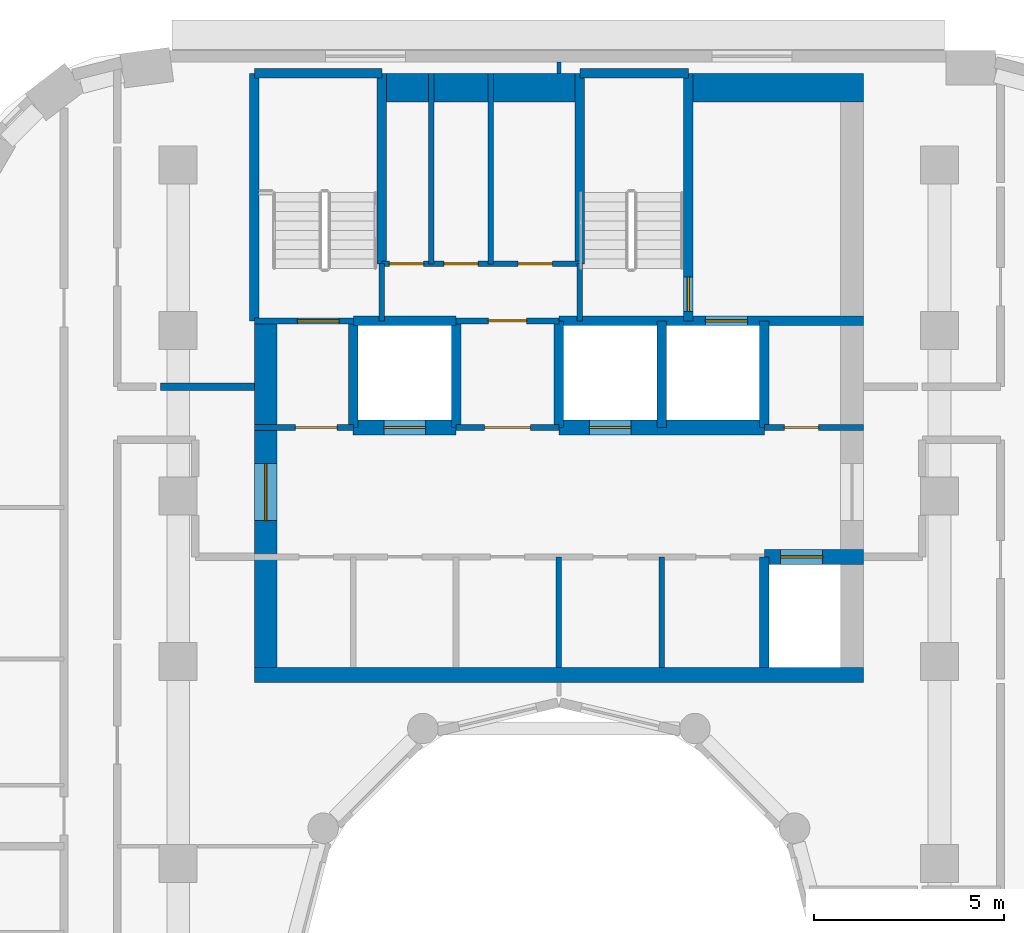
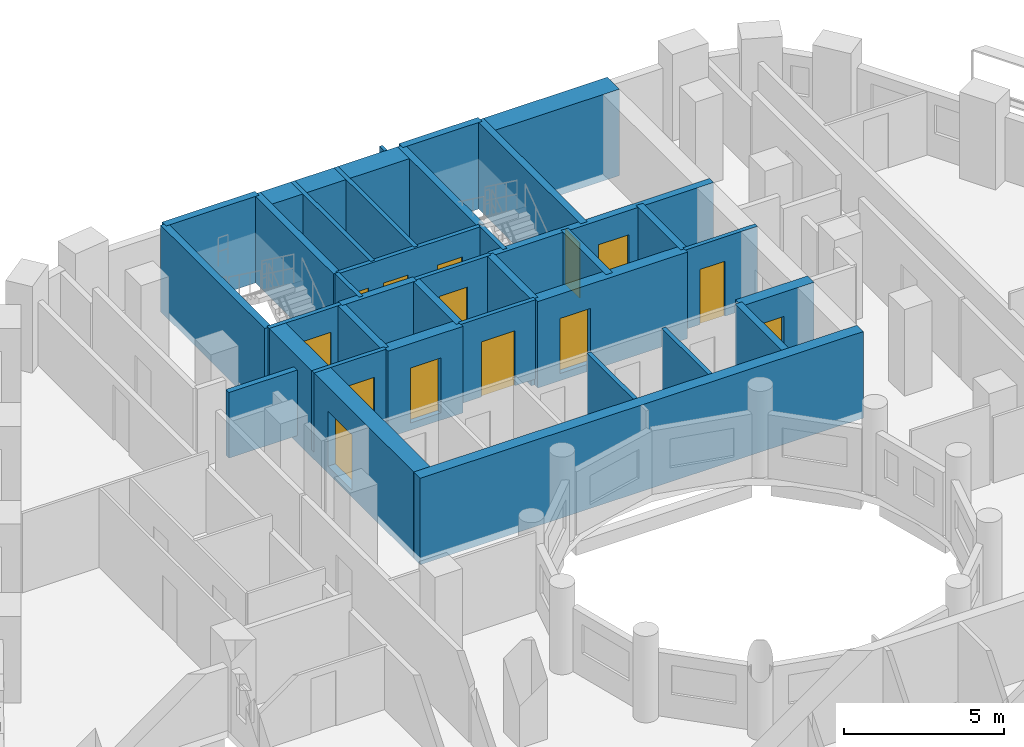
# One storey, part 8 of 14: 35 walls, 14 doors, 14 openings.
"""IFC4 building model written with IfcOpenShell, lengths in metres."""

from ifc_helpers import new_model, si_unit, direction, frame, frame_2d, origin, place, context, subcontext, project, spatial, rectangle, extrude, material, layer, layer_set, type_object, element, fill, save


model = new_model("IFC4")

# Units and contexts
model_context = context("Model", 3, precision=1e-05, world=origin(), true_north=direction((0.0, 1.0)))
body_context = subcontext(model_context, "Body", "Model", "MODEL_VIEW")
ifc_project = project(units=[si_unit("LENGTHUNIT", "METRE"), si_unit("AREAUNIT", "SQUARE_METRE"), si_unit("VOLUMEUNIT", "CUBIC_METRE"), si_unit("PLANEANGLEUNIT", "RADIAN"), si_unit("MASSUNIT", "GRAM", prefix="KILO")], contexts=[model_context])

# Site, building, storey
site_placement = place(None, origin())
site = spatial("IfcSite", under=ifc_project, at=site_placement, CompositionType="ELEMENT")
building_placement = place(site_placement, origin())
building = spatial("IfcBuilding", under=site, at=building_placement, Name="Nakaniwa Court", CompositionType="ELEMENT")
storey_placement = place(building_placement, frame((0.0, 0.0, 160.199951171875)))
storey = spatial("IfcBuildingStorey", under=building, at=storey_placement, Name="L42", CompositionType="ELEMENT", Elevation=160.199951171875)

# Walls
ifc_material_1 = material(Name="Acoustic double stud partition")
ifc_layer_1 = layer(ifc_material_1, 0.199951171875)
ifc_layer_set_1 = layer_set([ifc_layer_1], Name="Acoustic double stud partition")
wall_type_1 = type_object("IfcWallType", Name="Acoustic double stud partition 200", PredefinedType="PARTITIONING", material=ifc_layer_set_1)
wall_1_placement = place(storey_placement, frame((69.537109375, 95.175048828125, 0.0), z_axis=(0.0, 0.0, 1.0), x_axis=(1.0, 0.0, 0.0)))
element("IfcWall", 1, at=wall_1_placement, inside=storey, type_object=wall_type_1, Name="Partition PW-099", PredefinedType="PARTITIONING", context=body_context, shape_type="SweptSolid", body=[
    extrude(rectangle(XDim=2.462890625, YDim=0.199951171875, at=frame_2d((1.2314453125, 0.0))), origin(), (0.0, 0.0, 1.0), 2.505126953125),
])
ifc_material_2 = material(Name="Blockwork partition", Category="masonry")
ifc_layer_2 = layer(ifc_material_2, 0.14990234375)
ifc_layer_set_2 = layer_set([ifc_layer_2], Name="Blockwork partition")
wall_type_2 = type_object("IfcWallType", Name="Blockwork partition 150", PredefinedType="PARTITIONING", material=ifc_layer_set_2)
for number, where, z_axis, x_axis, name in (
    (2, (80.0, 87.800048828125, 0.0), (0.0, 0.0, 1.0), (0.0, 1.0, 0.0), "Partition PW-009"),
    (3, (82.699951171875, 87.800048828125, 0.0), (0.0, 0.0, 1.0), (0.0, 1.0, 0.0), "Partition PW-010"),
):
    element("IfcWall", number, at=place(storey_placement, frame(where, z_axis=z_axis, x_axis=x_axis)), inside=storey, type_object=wall_type_2, Name=name, PredefinedType="PARTITIONING", context=body_context, shape_type="SweptSolid", body=[
        extrude(rectangle(XDim=2.89990234375, YDim=0.14990234375, at=frame_2d((1.449951171875, 0.0))), origin(), (0.0, 0.0, 1.0), 3.025146484375),
    ])

# Wall, opening, door
wall_2_placement = place(storey_placement, frame((72.0, 94.10009765625, 0.0), z_axis=(0.0, 0.0, 1.0), x_axis=(1.0, 0.0, 0.0)))
wall_2 = element("IfcWall", 4, at=wall_2_placement, inside=storey, type_object=wall_type_2, Name="Partition PW-011", PredefinedType="PARTITIONING", context=body_context, shape_type="SweptSolid", body=[
    extrude(rectangle(XDim=2.60302734375, YDim=0.14990234375, at=frame_2d((1.301513671875, 0.0))), origin(), (0.0, 0.0, 1.0), 3.025146484375),
])
opening_1_placement = place(wall_2_placement, frame((1.074951171875, 0.0, 0.0)))
opening_1 = element("IfcOpeningElement", 5, at=opening_1_placement, cuts=wall_2, Name="Opening D-08-01", PredefinedType="OPENING", context=body_context, shape_type="SweptSolid", body=[
    extrude(rectangle(XDim=1.10009765625, YDim=2.10009765625, at=frame_2d((0.550048828125, 1.050048828125))), frame((0.0, 0.0849609375, 0.0), z_axis=(0.0, -1.0, 0.0), x_axis=(1.0, 0.0, 0.0)), (0.0, 0.0, 1.0), 0.169921875),
])
ifc_material_3 = material(Name="Fire rated steel door set", Category="steel")
door_type_1 = type_object("IfcDoorType", Name="Stair lobby door 1100", OperationType="NOTDEFINED", PredefinedType="DOOR", material=ifc_material_3)
door_1_placement = place(opening_1_placement, origin())
door_1 = element("IfcDoor", 6, at=door_1_placement, inside=storey, type_object=door_type_1, Name="Door D-08-01 L42-006", OperationType="SINGLE_SWING_LEFT", OverallHeight=2.10009765625, OverallWidth=1.10009765625, PredefinedType="DOOR", context=body_context, shape_type="SweptSolid", body=[
    extrude(rectangle(XDim=1.10009765625, YDim=2.10009765625, at=frame_2d((0.550048828125, 1.050048828125))), frame((0.0, 0.02490234375, 0.0), z_axis=(0.0, -1.0, 0.0), x_axis=(1.0, 0.0, 0.0)), (0.0, 0.0, 1.0), 0.050048828125),
])
fill(opening_1, door_1)

wall_3_placement = place(storey_placement, frame((77.297119140625, 94.10009765625, 0.0), z_axis=(0.0, 0.0, 1.0), x_axis=(1.0, 0.0, 0.0)))
wall_3 = element("IfcWall", 7, at=wall_3_placement, inside=storey, type_object=wall_type_2, Name="Partition PW-012", PredefinedType="PARTITIONING", context=body_context, shape_type="SweptSolid", body=[
    extrude(rectangle(XDim=2.705810546875, YDim=0.14990234375, at=frame_2d((1.35302734375, 0.0))), origin(), (0.0, 0.0, 1.0), 3.025146484375),
])
opening_2_placement = place(wall_3_placement, frame((0.7529296875, 0.0, 0.0)))
opening_2 = element("IfcOpeningElement", 8, at=opening_2_placement, cuts=wall_3, Name="Opening D-06-01", PredefinedType="OPENING", context=body_context, shape_type="SweptSolid", body=[
    extrude(rectangle(XDim=1.199951171875, YDim=2.10009765625, at=frame_2d((0.60009765625, 1.050048828125))), frame((0.0, 0.0849609375, 0.0), z_axis=(0.0, -1.0, 0.0), x_axis=(1.0, 0.0, 0.0)), (0.0, 0.0, 1.0), 0.169921875),
])
ifc_material_4 = material(Name="Fire rated steel double door set", Category="steel")
door_type_2 = type_object("IfcDoorType", Name="Service passage double door 1200", OperationType="NOTDEFINED", PredefinedType="DOOR", material=ifc_material_4)
door_2_placement = place(opening_2_placement, origin())
door_2 = element("IfcDoor", 9, at=door_2_placement, inside=storey, type_object=door_type_2, Name="Door D-06-01 L42-007", OperationType="DOUBLE_DOOR_SINGLE_SWING", OverallHeight=2.10009765625, OverallWidth=1.199951171875, PredefinedType="DOOR", context=body_context, shape_type="SweptSolid", body=[
    extrude(rectangle(XDim=1.199951171875, YDim=2.10009765625, at=frame_2d((0.60009765625, 1.050048828125))), frame((0.0, 0.02490234375, 0.0), z_axis=(0.0, -1.0, 0.0), x_axis=(1.0, 0.0, 0.0)), (0.0, 0.0, 1.0), 0.050048828125),
])
fill(opening_2, door_2)

wall_4_placement = place(storey_placement, frame((85.39697265625, 94.10009765625, 0.0), z_axis=(0.0, 0.0, 1.0), x_axis=(1.0, 0.0, 0.0)))
wall_4 = element("IfcWall", 10, at=wall_4_placement, inside=storey, type_object=wall_type_2, Name="Partition PW-013", PredefinedType="PARTITIONING", context=body_context, shape_type="SweptSolid", body=[
    extrude(rectangle(XDim=2.60302734375, YDim=0.14990234375, at=frame_2d((1.301513671875, 0.0))), origin(), (0.0, 0.0, 1.0), 3.025146484375),
])
opening_3_placement = place(wall_4_placement, frame((0.528076171875, 0.0, 0.0)))
opening_3 = element("IfcOpeningElement", 11, at=opening_3_placement, cuts=wall_4, Name="Opening D-05-06", PredefinedType="OPENING", context=body_context, shape_type="SweptSolid", body=[
    extrude(rectangle(XDim=0.89990234375, YDim=2.10009765625, at=frame_2d((0.449951171875, 1.050048828125))), frame((0.0, 0.0849609375, 0.0), z_axis=(0.0, -1.0, 0.0), x_axis=(1.0, 0.0, 0.0)), (0.0, 0.0, 1.0), 0.169921875),
])
door_type_3 = type_object("IfcDoorType", Name="Service room door 900", OperationType="NOTDEFINED", PredefinedType="DOOR", material=ifc_material_3)
door_3_placement = place(opening_3_placement, origin())
door_3 = element("IfcDoor", 12, at=door_3_placement, inside=storey, type_object=door_type_3, Name="Door D-05-06 L42-008", OperationType="SINGLE_SWING_LEFT", OverallHeight=2.10009765625, OverallWidth=0.89990234375, PredefinedType="DOOR", context=body_context, shape_type="SweptSolid", body=[
    extrude(rectangle(XDim=0.89990234375, YDim=2.10009765625, at=frame_2d((0.449951171875, 1.050048828125))), frame((0.0, 0.02490234375, 0.0), z_axis=(0.0, -1.0, 0.0), x_axis=(1.0, 0.0, 0.0)), (0.0, 0.0, 1.0), 0.050048828125),
])
fill(opening_3, door_3)

wall_5_placement = place(storey_placement, frame((77.300048828125, 96.89990234375, 0.0), z_axis=(0.0, 0.0, 1.0), x_axis=(1.0, 0.0, 0.0)))
wall_5 = element("IfcWall", 13, at=wall_5_placement, inside=storey, type_object=wall_type_2, Name="Partition PW-022", PredefinedType="PARTITIONING", context=body_context, shape_type="SweptSolid", body=[
    extrude(rectangle(XDim=2.699951171875, YDim=0.14990234375, at=frame_2d((1.35009765625, 0.0))), origin(), (0.0, 0.0, 1.0), 3.025146484375),
])
opening_4_placement = place(wall_5_placement, frame((0.85009765625, 0.0, 0.0)))
opening_4 = element("IfcOpeningElement", 14, at=opening_4_placement, cuts=wall_5, Name="Opening D-23-01", PredefinedType="OPENING", context=body_context, shape_type="SweptSolid", body=[
    extrude(rectangle(XDim=1.0, YDim=2.10009765625, at=frame_2d((0.5, 1.050048828125))), frame((0.0, 0.0849609375, 0.0), z_axis=(0.0, -1.0, 0.0), x_axis=(1.0, 0.0, 0.0)), (0.0, 0.0, 1.0), 0.169921875),
])
door_type_4 = type_object("IfcDoorType", Name="Service room door 1000", OperationType="NOTDEFINED", PredefinedType="DOOR", material=ifc_material_3)
door_4_placement = place(opening_4_placement, origin())
door_4 = element("IfcDoor", 15, at=door_4_placement, inside=storey, type_object=door_type_4, Name="Door D-23-01 L42-009", OperationType="SINGLE_SWING_RIGHT", OverallHeight=2.10009765625, OverallWidth=1.0, PredefinedType="DOOR", context=body_context, shape_type="SweptSolid", body=[
    extrude(rectangle(XDim=1.0, YDim=2.10009765625, at=frame_2d((0.5, 1.050048828125))), frame((0.0, 0.02490234375, 0.0), z_axis=(0.0, -1.0, 0.0), x_axis=(1.0, 0.0, 0.0)), (0.0, 0.0, 1.0), 0.050048828125),
])
fill(opening_4, door_4)

# Wall, openings, doors
wall_6_placement = place(storey_placement, frame((75.35009765625, 98.39990234375, 0.0), z_axis=(0.0, 0.0, 1.0), x_axis=(1.0, 0.0, 0.0)))
wall_6 = element("IfcWall", 16, at=wall_6_placement, inside=storey, type_object=wall_type_2, Name="Partition PW-034", PredefinedType="PARTITIONING", context=body_context, shape_type="SweptSolid", body=[
    extrude(rectangle(XDim=5.199951171875, YDim=0.14990234375, at=frame_2d((2.60009765625, 0.0))), origin(), (0.0, 0.0, 1.0), 3.025146484375),
])
opening_5_placement = place(wall_6_placement, frame((0.199951171875, 0.0, 0.0)))
opening_5 = element("IfcOpeningElement", 17, at=opening_5_placement, cuts=wall_6, Name="Opening D-05-07", PredefinedType="OPENING", context=body_context, shape_type="SweptSolid", body=[
    extrude(rectangle(XDim=0.89990234375, YDim=2.10009765625, at=frame_2d((0.449951171875, 1.050048828125))), frame((0.0, 0.0849609375, 0.0), z_axis=(0.0, -1.0, 0.0), x_axis=(1.0, 0.0, 0.0)), (0.0, 0.0, 1.0), 0.169921875),
])
opening_6_placement = place(wall_6_placement, frame((1.6298828125, 0.0, 0.0)))
opening_6 = element("IfcOpeningElement", 18, at=opening_6_placement, cuts=wall_6, Name="Opening D-05-08", PredefinedType="OPENING", context=body_context, shape_type="SweptSolid", body=[
    extrude(rectangle(XDim=0.89990234375, YDim=2.10009765625, at=frame_2d((0.449951171875, 1.050048828125))), frame((0.0, 0.0849609375, 0.0), z_axis=(0.0, -1.0, 0.0), x_axis=(1.0, 0.0, 0.0)), (0.0, 0.0, 1.0), 0.169921875),
])
opening_7_placement = place(wall_6_placement, frame((3.580078125, 0.0, 0.0)))
opening_7 = element("IfcOpeningElement", 19, at=opening_7_placement, cuts=wall_6, Name="Opening D-05-09", PredefinedType="OPENING", context=body_context, shape_type="SweptSolid", body=[
    extrude(rectangle(XDim=0.89990234375, YDim=2.10009765625, at=frame_2d((0.449951171875, 1.050048828125))), frame((0.0, 0.0849609375, 0.0), z_axis=(0.0, -1.0, 0.0), x_axis=(1.0, 0.0, 0.0)), (0.0, 0.0, 1.0), 0.169921875),
])
door_5_placement = place(opening_5_placement, origin())
door_5 = element("IfcDoor", 20, at=door_5_placement, inside=storey, type_object=door_type_3, Name="Door D-05-07 L42-010", OperationType="SINGLE_SWING_LEFT", OverallHeight=2.10009765625, OverallWidth=0.89990234375, PredefinedType="DOOR", context=body_context, shape_type="SweptSolid", body=[
    extrude(rectangle(XDim=0.89990234375, YDim=2.10009765625, at=frame_2d((0.449951171875, 1.050048828125))), frame((0.0, 0.02490234375, 0.0), z_axis=(0.0, -1.0, 0.0), x_axis=(1.0, 0.0, 0.0)), (0.0, 0.0, 1.0), 0.050048828125),
])
fill(opening_5, door_5)
door_6_placement = place(opening_6_placement, origin())
door_6 = element("IfcDoor", 21, at=door_6_placement, inside=storey, type_object=door_type_3, Name="Door D-05-08 L42-011", OperationType="SINGLE_SWING_RIGHT", OverallHeight=2.10009765625, OverallWidth=0.89990234375, PredefinedType="DOOR", context=body_context, shape_type="SweptSolid", body=[
    extrude(rectangle(XDim=0.89990234375, YDim=2.10009765625, at=frame_2d((0.449951171875, 1.050048828125))), frame((0.0, 0.02490234375, 0.0), z_axis=(0.0, -1.0, 0.0), x_axis=(1.0, 0.0, 0.0)), (0.0, 0.0, 1.0), 0.050048828125),
])
fill(opening_6, door_6)
door_7_placement = place(opening_7_placement, origin())
door_7 = element("IfcDoor", 22, at=door_7_placement, inside=storey, type_object=door_type_3, Name="Door D-05-09 L42-012", OperationType="SINGLE_SWING_LEFT", OverallHeight=2.10009765625, OverallWidth=0.89990234375, PredefinedType="DOOR", context=body_context, shape_type="SweptSolid", body=[
    extrude(rectangle(XDim=0.89990234375, YDim=2.10009765625, at=frame_2d((0.449951171875, 1.050048828125))), frame((0.0, 0.02490234375, 0.0), z_axis=(0.0, -1.0, 0.0), x_axis=(1.0, 0.0, 0.0)), (0.0, 0.0, 1.0), 0.050048828125),
])
fill(opening_7, door_7)

# Walls
for number, where, z_axis, x_axis, name in (
    (23, (76.64990234375, 98.39990234375, 0.0), (0.0, 0.0, 1.0), (0.0, 1.0, 0.0), "Partition PW-035"),
    (24, (78.2099609375, 98.39990234375, 0.0), (0.0, 0.0, 1.0), (0.0, 1.0, 0.0), "Partition PW-036"),
):
    element("IfcWall", number, at=place(storey_placement, frame(where, z_axis=z_axis, x_axis=x_axis)), inside=storey, type_object=wall_type_2, Name=name, PredefinedType="PARTITIONING", context=body_context, shape_type="SweptSolid", body=[
        extrude(rectangle(XDim=5.0, YDim=0.14990234375, at=frame_2d((2.5, 0.0))), origin(), (0.0, 0.0, 1.0), 3.025146484375),
    ])

# Wall, opening, door
ifc_material_5 = material(Name="Concrete C80/100", Category="concrete")
ifc_layer_3 = layer(ifc_material_5, 0.60009765625)
ifc_layer_set_3 = layer_set([ifc_layer_3], Name="Concrete C80/100")
wall_type_3 = type_object("IfcWallType", Name="Concrete core side wall 600 C80", PredefinedType="SHEAR", material=ifc_layer_set_3)
wall_7_placement = place(storey_placement, frame((72.300048828125, 87.800048828125, -0.27490234375), z_axis=(0.0, 0.0, 1.0), x_axis=(0.0, 1.0, 0.0)))
wall_7 = element("IfcWall", 25, at=wall_7_placement, inside=storey, type_object=wall_type_3, Name="Core wall SW-03", PredefinedType="SHEAR", context=body_context, shape_type="SweptSolid", body=[
    extrude(rectangle(XDim=9.099853515625, YDim=0.60009765625, at=frame_2d((4.5498046875, 0.0))), origin(), (0.0, 0.0, 1.0), 3.300048828125),
])
opening_8_placement = place(wall_7_placement, frame((3.85205078125, 0.0, 0.27490234375)))
opening_8 = element("IfcOpeningElement", 26, at=opening_8_placement, cuts=wall_7, Name="Opening D-07-02", PredefinedType="OPENING", context=body_context, shape_type="SweptSolid", body=[
    extrude(rectangle(XDim=1.5, YDim=2.10009765625, at=frame_2d((0.75, 1.050048828125))), frame((0.0, 0.31005859375, 0.0), z_axis=(0.0, -1.0, 0.0), x_axis=(1.0, 0.0, 0.0)), (0.0, 0.0, 1.0), 0.6201171875),
])
ifc_material_6 = material(Name="Glazed fire rated steel double door set", Category="steel")
door_type_5 = type_object("IfcDoorType", Name="Lobby double door 1500", OperationType="NOTDEFINED", PredefinedType="DOOR", material=ifc_material_6)
door_8_placement = place(opening_8_placement, origin())
door_8 = element("IfcDoor", 27, at=door_8_placement, inside=storey, type_object=door_type_5, Name="Door D-07-02 L42-059", OperationType="DOUBLE_DOOR_SINGLE_SWING", OverallHeight=2.10009765625, OverallWidth=1.5, PredefinedType="DOOR", context=body_context, shape_type="SweptSolid", body=[
    extrude(rectangle(XDim=1.5, YDim=2.10009765625, at=frame_2d((0.75, 1.050048828125))), frame((0.0, 0.02490234375, 0.0), z_axis=(0.0, -1.0, 0.0), x_axis=(1.0, 0.0, 0.0)), (0.0, 0.0, 1.0), 0.050048828125),
])
fill(opening_8, door_8)

ifc_layer_4 = layer(ifc_material_5, 0.39990234375)
ifc_layer_set_4 = layer_set([ifc_layer_4], Name="Concrete C80/100")
wall_type_4 = type_object("IfcWallType", Name="Concrete core spine wall 400 C80", PredefinedType="SHEAR", material=ifc_layer_set_4)
wall_8_placement = place(storey_placement, frame((85.39990234375, 90.699951171875, -0.27490234375), z_axis=(0.0, 0.0, 1.0), x_axis=(1.0, 0.0, 0.0)))
wall_8 = element("IfcWall", 28, at=wall_8_placement, inside=storey, type_object=wall_type_4, Name="Core wall SW-06", PredefinedType="SHEAR", context=body_context, shape_type="SweptSolid", body=[
    extrude(rectangle(XDim=2.60009765625, YDim=0.39990234375, at=frame_2d((1.300048828125, 0.0))), origin(), (0.0, 0.0, 1.0), 3.300048828125),
])
opening_9_placement = place(wall_8_placement, frame((0.425048828125, 0.0, 0.27490234375)))
opening_9 = element("IfcOpeningElement", 29, at=opening_9_placement, cuts=wall_8, Name="Opening LD01", PredefinedType="OPENING", context=body_context, shape_type="SweptSolid", body=[
    extrude(rectangle(XDim=1.10009765625, YDim=2.10009765625, at=frame_2d((0.550048828125, 1.050048828125))), frame((0.0, 0.2099609375, 0.0), z_axis=(0.0, -1.0, 0.0), x_axis=(1.0, 0.0, 0.0)), (0.0, 0.0, 1.0), 0.419921875),
])
ifc_material_7 = material(Name="Stainless steel sliding lift landing door", Category="steel")
door_type_6 = type_object("IfcDoorType", Name="Lift landing door 1100", OperationType="NOTDEFINED", PredefinedType="DOOR", material=ifc_material_7)
door_9_placement = place(opening_9_placement, origin())
door_9 = element("IfcDoor", 30, at=door_9_placement, inside=storey, type_object=door_type_6, Name="Lift landing door LD01 L42-001", OperationType="SLIDING_TO_LEFT", OverallHeight=2.10009765625, OverallWidth=1.10009765625, PredefinedType="DOOR", context=body_context, shape_type="SweptSolid", body=[
    extrude(rectangle(XDim=1.10009765625, YDim=2.10009765625, at=frame_2d((0.550048828125, 1.050048828125))), frame((0.0, 0.02490234375, 0.0), z_axis=(0.0, -1.0, 0.0), x_axis=(1.0, 0.0, 0.0)), (0.0, 0.0, 1.0), 0.050048828125),
])
fill(opening_9, door_9)

wall_9_placement = place(storey_placement, frame((74.596923828125, 94.10009765625, -0.27490234375), z_axis=(0.0, 0.0, 1.0), x_axis=(1.0, 0.0, 0.0)))
wall_9 = element("IfcWall", 31, at=wall_9_placement, inside=storey, type_object=wall_type_4, Name="Core wall SW-14", PredefinedType="SHEAR", context=body_context, shape_type="SweptSolid", body=[
    extrude(rectangle(XDim=2.7060546875, YDim=0.39990234375, at=frame_2d((1.35302734375, 0.0))), origin(), (0.0, 0.0, 1.0), 3.300048828125),
])
opening_10_placement = place(wall_9_placement, frame((0.802978515625, 0.0, 0.27490234375)))
opening_10 = element("IfcOpeningElement", 32, at=opening_10_placement, cuts=wall_9, Name="Opening LD02", PredefinedType="OPENING", context=body_context, shape_type="SweptSolid", body=[
    extrude(rectangle(XDim=1.10009765625, YDim=2.10009765625, at=frame_2d((0.550048828125, 1.050048828125))), frame((0.0, 0.2099609375, 0.0), z_axis=(0.0, -1.0, 0.0), x_axis=(1.0, 0.0, 0.0)), (0.0, 0.0, 1.0), 0.419921875),
])
door_10_placement = place(opening_10_placement, origin())
door_10 = element("IfcDoor", 33, at=door_10_placement, inside=storey, type_object=door_type_6, Name="Lift landing door LD02 L42-002", OperationType="SLIDING_TO_LEFT", OverallHeight=2.10009765625, OverallWidth=1.10009765625, PredefinedType="DOOR", context=body_context, shape_type="SweptSolid", body=[
    extrude(rectangle(XDim=1.10009765625, YDim=2.10009765625, at=frame_2d((0.550048828125, 1.050048828125))), frame((0.0, 0.02490234375, 0.0), z_axis=(0.0, -1.0, 0.0), x_axis=(1.0, 0.0, 0.0)), (0.0, 0.0, 1.0), 0.050048828125),
])
fill(opening_10, door_10)

wall_10_placement = place(storey_placement, frame((79.9970703125, 94.10009765625, -0.27490234375), z_axis=(0.0, 0.0, 1.0), x_axis=(1.0, 0.0, 0.0)))
wall_10 = element("IfcWall", 34, at=wall_10_placement, inside=storey, type_object=wall_type_4, Name="Core wall SW-15", PredefinedType="SHEAR", context=body_context, shape_type="SweptSolid", body=[
    extrude(rectangle(XDim=5.406005859375, YDim=0.39990234375, at=frame_2d((2.703125, 0.0))), origin(), (0.0, 0.0, 1.0), 3.300048828125),
])
opening_11_placement = place(wall_10_placement, frame((0.802978515625, 0.0, 0.27490234375)))
opening_11 = element("IfcOpeningElement", 35, at=opening_11_placement, cuts=wall_10, Name="Opening LD03", PredefinedType="OPENING", context=body_context, shape_type="SweptSolid", body=[
    extrude(rectangle(XDim=1.10009765625, YDim=2.10009765625, at=frame_2d((0.550048828125, 1.050048828125))), frame((0.0, 0.2099609375, 0.0), z_axis=(0.0, -1.0, 0.0), x_axis=(1.0, 0.0, 0.0)), (0.0, 0.0, 1.0), 0.419921875),
])
door_11_placement = place(opening_11_placement, origin())
door_11 = element("IfcDoor", 36, at=door_11_placement, inside=storey, type_object=door_type_6, Name="Lift landing door LD03 L42-003", OperationType="SLIDING_TO_LEFT", OverallHeight=2.10009765625, OverallWidth=1.10009765625, PredefinedType="DOOR", context=body_context, shape_type="SweptSolid", body=[
    extrude(rectangle(XDim=1.10009765625, YDim=2.10009765625, at=frame_2d((0.550048828125, 1.050048828125))), frame((0.0, 0.02490234375, 0.0), z_axis=(0.0, -1.0, 0.0), x_axis=(1.0, 0.0, 0.0)), (0.0, 0.0, 1.0), 0.050048828125),
])
fill(opening_11, door_11)

ifc_layer_5 = layer(ifc_material_5, 0.14990234375)
ifc_layer_set_5 = layer_set([ifc_layer_5], Name="Concrete C80/100")
wall_type_5 = type_object("IfcWallType", Name="Concrete core wall 150 C80", PredefinedType="SHEAR", material=ifc_layer_set_5)
wall_11_placement = place(storey_placement, frame((74.60009765625, 96.89990234375, -0.27490234375), z_axis=(0.0, 0.0, 1.0), x_axis=(-1.0, 0.0, 0.0)))
wall_11 = element("IfcWall", 37, at=wall_11_placement, inside=storey, type_object=wall_type_5, Name="Core wall SW-17", PredefinedType="SHEAR", context=body_context, shape_type="SweptSolid", body=[
    extrude(rectangle(XDim=2.60009765625, YDim=0.14990234375, at=frame_2d((1.300048828125, 0.0))), origin(), (0.0, 0.0, 1.0), 3.300048828125),
])
opening_12_placement = place(wall_11_placement, frame((0.3701171875, 0.0, 0.27490234375)))
opening_12 = element("IfcOpeningElement", 38, at=opening_12_placement, cuts=wall_11, Name="Opening D-09-01", PredefinedType="OPENING", context=body_context, shape_type="SweptSolid", body=[
    extrude(rectangle(XDim=1.10009765625, YDim=2.10009765625, at=frame_2d((0.550048828125, 1.050048828125))), frame((0.0, 0.0849609375, 0.0), z_axis=(0.0, -1.0, 0.0), x_axis=(1.0, 0.0, 0.0)), (0.0, 0.0, 1.0), 0.169921875),
])
door_type_7 = type_object("IfcDoorType", Name="Stair door 1100", OperationType="NOTDEFINED", PredefinedType="DOOR", material=ifc_material_3)
door_12_placement = place(opening_12_placement, origin())
door_12 = element("IfcDoor", 39, at=door_12_placement, inside=storey, type_object=door_type_7, Name="Door D-09-01 L42-013", OperationType="SINGLE_SWING_LEFT", OverallHeight=2.10009765625, OverallWidth=1.10009765625, PredefinedType="DOOR", context=body_context, shape_type="SweptSolid", body=[
    extrude(rectangle(XDim=1.10009765625, YDim=2.10009765625, at=frame_2d((0.550048828125, 1.050048828125))), frame((0.0, 0.02490234375, 0.0), z_axis=(0.0, -1.0, 0.0), x_axis=(1.0, 0.0, 0.0)), (0.0, 0.0, 1.0), 0.050048828125),
])
fill(opening_12, door_12)

# Walls
for number, where, z_axis, x_axis, name in (
    (40, (75.35009765625, 96.89990234375, -0.27490234375), (0.0, 0.0, 1.0), (0.0, 1.0, 0.0), "Core wall SW-24"),
    (41, (80.550048828125, 96.89990234375, -0.27490234375), (0.0, 0.0, 1.0), (0.0, 1.0, 0.0), "Core wall SW-30"),
):
    element("IfcWall", number, at=place(storey_placement, frame(where, z_axis=z_axis, x_axis=x_axis)), inside=storey, type_object=wall_type_5, Name=name, PredefinedType="SHEAR", context=body_context, shape_type="SweptSolid", body=[
        extrude(rectangle(XDim=1.503173828125, YDim=0.14990234375, at=frame_2d((0.75146484375, 0.0))), origin(), (0.0, 0.0, 1.0), 3.300048828125),
    ])
ifc_layer_6 = layer(ifc_material_5, 0.25)
ifc_layer_set_6 = layer_set([ifc_layer_6], Name="Concrete C80/100")
wall_type_6 = type_object("IfcWallType", Name="Concrete core wall 250 C80", PredefinedType="SHEAR", material=ifc_layer_set_6)
wall_12_placement = place(storey_placement, frame((72.0, 103.39990234375, -0.27490234375), z_axis=(0.0, 0.0, 1.0), x_axis=(1.0, 0.0, 0.0)))
element("IfcWall", 42, at=wall_12_placement, inside=storey, type_object=wall_type_6, Name="Core wall SW-26", PredefinedType="SHEAR", context=body_context, shape_type="SweptSolid", body=[
    extrude(rectangle(XDim=3.35009765625, YDim=0.25, at=frame_2d((1.675048828125, 0.0))), origin(), (0.0, 0.0, 1.0), 3.300048828125),
])
wall_13_placement = place(storey_placement, frame((80.550048828125, 103.39990234375, -0.27490234375), z_axis=(0.0, 0.0, 1.0), x_axis=(1.0, 0.0, 0.0)))
element("IfcWall", 43, at=wall_13_placement, inside=storey, type_object=wall_type_6, Name="Core wall SW-27", PredefinedType="SHEAR", context=body_context, shape_type="SweptSolid", body=[
    extrude(rectangle(XDim=2.849853515625, YDim=0.25, at=frame_2d((1.4248046875, 0.0))), origin(), (0.0, 0.0, 1.0), 3.300048828125),
])
wall_14_placement = place(storey_placement, frame((72.0, 96.89990234375, -0.27490234375), z_axis=(0.0, 0.0, 1.0), x_axis=(0.0, 1.0, 0.0)))
element("IfcWall", 44, at=wall_14_placement, inside=storey, type_object=wall_type_6, Name="Core wall SW-28", PredefinedType="SHEAR", context=body_context, shape_type="SweptSolid", body=[
    extrude(rectangle(XDim=6.5, YDim=0.25, at=frame_2d((3.25, 0.0))), origin(), (0.0, 0.0, 1.0), 3.300048828125),
])
ifc_layer_7 = layer(ifc_material_5, 0.75)
ifc_layer_set_7 = layer_set([ifc_layer_7], Name="Concrete C80/100")
wall_type_7 = type_object("IfcWallType", Name="Concrete core wall 750 C80", PredefinedType="SHEAR", material=ifc_layer_set_7)
wall_15_placement = place(storey_placement, frame((75.35009765625, 103.02490234375, -0.27490234375), z_axis=(0.0, 0.0, 1.0), x_axis=(1.0, 0.0, 0.0)))
element("IfcWall", 45, at=wall_15_placement, inside=storey, type_object=wall_type_7, Name="Core wall SW-32", PredefinedType="SHEAR", context=body_context, shape_type="SweptSolid", body=[
    extrude(rectangle(XDim=5.199951171875, YDim=0.75, at=frame_2d((2.60009765625, 0.0))), origin(), (0.0, 0.0, 1.0), 3.300048828125),
])
wall_16_placement = place(storey_placement, frame((83.39990234375, 103.02490234375, -0.27490234375), z_axis=(0.0, 0.0, 1.0), x_axis=(1.0, 0.0, 0.0)))
element("IfcWall", 46, at=wall_16_placement, inside=storey, type_object=wall_type_7, Name="Core wall SW-33", PredefinedType="SHEAR", context=body_context, shape_type="SweptSolid", body=[
    extrude(rectangle(XDim=4.60009765625, YDim=0.75, at=frame_2d((2.300048828125, 0.0))), origin(), (0.0, 0.0, 1.0), 3.300048828125),
])
ifc_layer_8 = layer(ifc_material_5, 0.39990234375)
ifc_layer_set_8 = layer_set([ifc_layer_8], Name="Concrete C80/100")
wall_type_8 = type_object("IfcWallType", Name="Concrete core well wall 400 C80", PredefinedType="SHEAR", material=ifc_layer_set_8)
wall_17_placement = place(storey_placement, frame((72.00390625, 87.60009765625, -0.27490234375), z_axis=(0.0, 0.0, 1.0), x_axis=(1.0, 0.0, 0.0)))
element("IfcWall", 47, at=wall_17_placement, inside=storey, type_object=wall_type_8, Name="Core wall SW-143", PredefinedType="SHEAR", context=body_context, shape_type="SweptSolid", body=[
    extrude(rectangle(XDim=15.9921875, YDim=0.39990234375, at=frame_2d((7.99609375, 0.0))), origin(), (0.0, 0.0, 1.0), 3.300048828125),
])
ifc_layer_9 = layer(ifc_material_5, 0.25)
ifc_layer_set_9 = layer_set([ifc_layer_9], Name="Concrete C80/100")
wall_type_9 = type_object("IfcWallType", Name="Concrete shaft wall 250 C80", PredefinedType="SHEAR", material=ifc_layer_set_9)
wall_18_placement = place(storey_placement, frame((85.39990234375, 87.800048828125, -0.27490234375), z_axis=(0.0, 0.0, 1.0), x_axis=(0.0, 1.0, 0.0)))
element("IfcWall", 48, at=wall_18_placement, inside=storey, type_object=wall_type_9, Name="Core wall SW-04", PredefinedType="SHEAR", context=body_context, shape_type="SweptSolid", body=[
    extrude(rectangle(XDim=2.89990234375, YDim=0.25, at=frame_2d((1.449951171875, 0.0))), origin(), (0.0, 0.0, 1.0), 3.300048828125),
])
for number, where, z_axis, x_axis, name in (
    (49, (85.39990234375, 94.10009765625, -0.27490234375), (0.0, 0.0, 1.0), (0.0, 1.0, 0.0), "Core wall SW-05"),
    (50, (74.60009765625, 94.10009765625, -0.27490234375), (0.0, 0.0, 1.0), (0.0, 1.0, 0.0), "Core wall SW-16"),
    (51, (77.300048828125, 94.10009765625, -0.27490234375), (0.0, 0.0, 1.0), (0.0, 1.0, 0.0), "Core wall SW-18"),
):
    element("IfcWall", number, at=place(storey_placement, frame(where, z_axis=z_axis, x_axis=x_axis)), inside=storey, type_object=wall_type_9, Name=name, PredefinedType="SHEAR", context=body_context, shape_type="SweptSolid", body=[
        extrude(rectangle(XDim=2.7998046875, YDim=0.25, at=frame_2d((1.39990234375, 0.0))), origin(), (0.0, 0.0, 1.0), 3.300048828125),
    ])
wall_19_placement = place(storey_placement, frame((74.60009765625, 96.89990234375, -0.27490234375), z_axis=(0.0, 0.0, 1.0), x_axis=(1.0, 0.0, 0.0)))
element("IfcWall", 52, at=wall_19_placement, inside=storey, type_object=wall_type_9, Name="Core wall SW-19", PredefinedType="SHEAR", context=body_context, shape_type="SweptSolid", body=[
    extrude(rectangle(XDim=2.699951171875, YDim=0.25, at=frame_2d((1.35009765625, 0.0))), origin(), (0.0, 0.0, 1.0), 3.300048828125),
])

# Wall, opening, door
wall_20_placement = place(storey_placement, frame((80.0, 96.89990234375, -0.27490234375), z_axis=(0.0, 0.0, 1.0), x_axis=(1.0, 0.0, 0.0)))
wall_20 = element("IfcWall", 53, at=wall_20_placement, inside=storey, type_object=wall_type_9, Name="Core wall SW-20", PredefinedType="SHEAR", context=body_context, shape_type="SweptSolid", body=[
    extrude(rectangle(XDim=8.0, YDim=0.25, at=frame_2d((4.0, 0.0))), origin(), (0.0, 0.0, 1.0), 3.300048828125),
])
opening_13_placement = place(wall_20_placement, frame((3.84912109375, 0.0, 0.27490234375)))
opening_13 = element("IfcOpeningElement", 54, at=opening_13_placement, cuts=wall_20, Name="Opening LD04", PredefinedType="OPENING", context=body_context, shape_type="SweptSolid", body=[
    extrude(rectangle(XDim=1.10009765625, YDim=2.10009765625, at=frame_2d((0.550048828125, 1.050048828125))), frame((0.0, 0.135009765625, 0.0), z_axis=(0.0, -1.0, 0.0), x_axis=(1.0, 0.0, 0.0)), (0.0, 0.0, 1.0), 0.27001953125),
])
door_13_placement = place(opening_13_placement, origin())
door_13 = element("IfcDoor", 55, at=door_13_placement, inside=storey, type_object=door_type_6, Name="Lift landing door LD04 L42-004", OperationType="SLIDING_TO_LEFT", OverallHeight=2.10009765625, OverallWidth=1.10009765625, PredefinedType="DOOR", context=body_context, shape_type="SweptSolid", body=[
    extrude(rectangle(XDim=1.10009765625, YDim=2.10009765625, at=frame_2d((0.550048828125, 1.050048828125))), frame((0.0, 0.02490234375, 0.0), z_axis=(0.0, -1.0, 0.0), x_axis=(1.0, 0.0, 0.0)), (0.0, 0.0, 1.0), 0.050048828125),
])
fill(opening_13, door_13)

# Walls
for number, where, z_axis, x_axis, name in (
    (56, (80.0, 94.10009765625, -0.27490234375), (0.0, 0.0, 1.0), (0.0, 1.0, 0.0), "Core wall SW-21"),
    (57, (82.699951171875, 94.10009765625, -0.27490234375), (0.0, 0.0, 1.0), (0.0, 1.0, 0.0), "Core wall SW-23"),
):
    element("IfcWall", number, at=place(storey_placement, frame(where, z_axis=z_axis, x_axis=x_axis)), inside=storey, type_object=wall_type_9, Name=name, PredefinedType="SHEAR", context=body_context, shape_type="SweptSolid", body=[
        extrude(rectangle(XDim=2.7998046875, YDim=0.25, at=frame_2d((1.39990234375, 0.0))), origin(), (0.0, 0.0, 1.0), 3.300048828125),
    ])
wall_21_placement = place(storey_placement, frame((75.35009765625, 98.39697265625, -0.27490234375), z_axis=(0.0, 0.0, 1.0), x_axis=(0.0, 1.0, 0.0)))
element("IfcWall", 58, at=wall_21_placement, inside=storey, type_object=wall_type_9, Name="Core wall SW-25", PredefinedType="SHEAR", context=body_context, shape_type="SweptSolid", body=[
    extrude(rectangle(XDim=5.0029296875, YDim=0.25, at=frame_2d((2.50146484375, 0.0))), origin(), (0.0, 0.0, 1.0), 3.300048828125),
])

# Wall, opening, door
wall_22_placement = place(storey_placement, frame((83.39990234375, 103.39990234375, -0.27490234375), z_axis=(0.0, 0.0, 1.0), x_axis=(0.0, -1.0, 0.0)))
wall_22 = element("IfcWall", 59, at=wall_22_placement, inside=storey, type_object=wall_type_9, Name="Core wall SW-29", PredefinedType="SHEAR", context=body_context, shape_type="SweptSolid", body=[
    extrude(rectangle(XDim=6.5, YDim=0.25, at=frame_2d((3.25, 0.0))), origin(), (0.0, 0.0, 1.0), 3.300048828125),
])
opening_14_placement = place(wall_22_placement, frame((5.35009765625, 0.0, 0.27490234375)))
opening_14 = element("IfcOpeningElement", 60, at=opening_14_placement, cuts=wall_22, Name="Opening D-11-01", PredefinedType="OPENING", context=body_context, shape_type="SweptSolid", body=[
    extrude(rectangle(XDim=0.89990234375, YDim=2.10009765625, at=frame_2d((0.449951171875, 1.050048828125))), frame((0.0, 0.135009765625, 0.0), z_axis=(0.0, -1.0, 0.0), x_axis=(1.0, 0.0, 0.0)), (0.0, 0.0, 1.0), 0.27001953125),
])
door_type_8 = type_object("IfcDoorType", Name="Stair door 900", OperationType="NOTDEFINED", PredefinedType="DOOR", material=ifc_material_3)
door_14_placement = place(opening_14_placement, origin())
door_14 = element("IfcDoor", 61, at=door_14_placement, inside=storey, type_object=door_type_8, Name="Door D-11-01 L42-014", OperationType="SINGLE_SWING_RIGHT", OverallHeight=2.10009765625, OverallWidth=0.89990234375, PredefinedType="DOOR", context=body_context, shape_type="SweptSolid", body=[
    extrude(rectangle(XDim=0.89990234375, YDim=2.10009765625, at=frame_2d((0.449951171875, 1.050048828125))), frame((0.0, 0.02490234375, 0.0), z_axis=(0.0, -1.0, 0.0), x_axis=(1.0, 0.0, 0.0)), (0.0, 0.0, 1.0), 0.050048828125),
])
fill(opening_14, door_14)

# Walls
wall_23_placement = place(storey_placement, frame((80.550048828125, 98.39697265625, -0.27490234375), z_axis=(0.0, 0.0, 1.0), x_axis=(0.0, 1.0, 0.0)))
element("IfcWall", 62, at=wall_23_placement, inside=storey, type_object=wall_type_9, Name="Core wall SW-31", PredefinedType="SHEAR", context=body_context, shape_type="SweptSolid", body=[
    extrude(rectangle(XDim=5.0029296875, YDim=0.25, at=frame_2d((2.50146484375, 0.0))), origin(), (0.0, 0.0, 1.0), 3.300048828125),
])
ifc_material_8 = material(Name="Single stud plasterboard partition")
ifc_layer_10 = layer(ifc_material_8, 0.10009765625)
ifc_layer_set_10 = layer_set([ifc_layer_10], Name="Single stud plasterboard partition")
wall_type_10 = type_object("IfcWallType", Name="Single stud plasterboard partition 100", PredefinedType="PARTITIONING", material=ifc_layer_set_10)
wall_24_placement = place(storey_placement, frame((80.0, 103.39990234375, 0.0), z_axis=(0.0, 0.0, 1.0), x_axis=(0.0, 1.0, 0.0)))
element("IfcWall", 63, at=wall_24_placement, inside=storey, type_object=wall_type_10, Name="Partition PW-118", PredefinedType="PARTITIONING", context=body_context, shape_type="SweptSolid", body=[
    extrude(rectangle(XDim=0.300048828125, YDim=0.10009765625, at=frame_2d((0.14990234375, 0.0))), origin(), (0.0, 0.0, 1.0), 3.025146484375),
])

save(model, "model.ifc")
